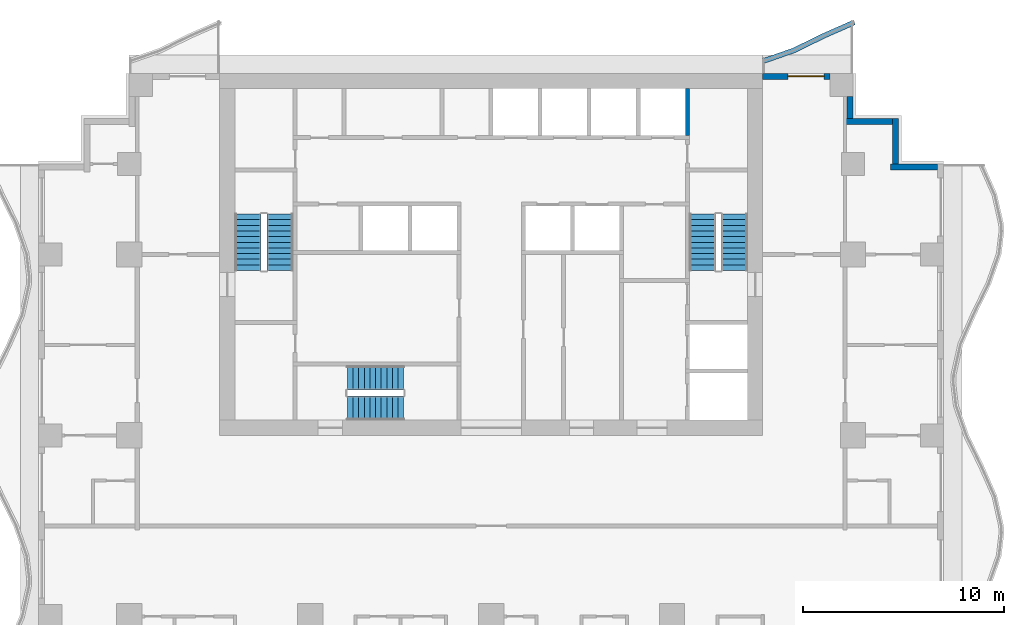
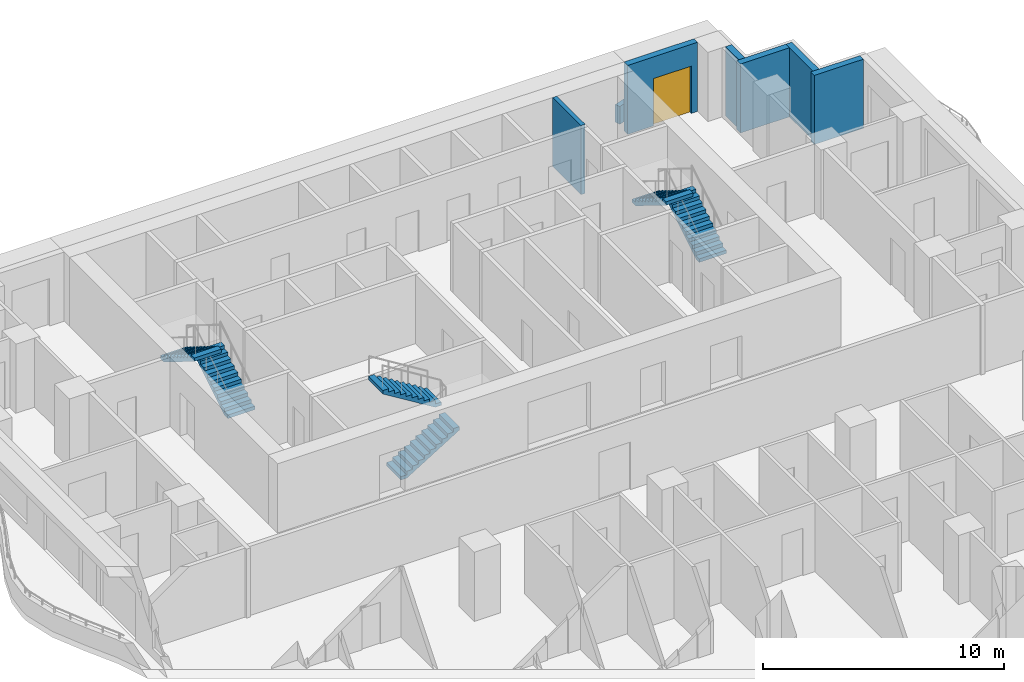
# One storey, part 6 of 10: 7 walls, 6 stair flights, 1 door, 1 opening, 3 elements without a shape of their own.
"""IFC4 building model written with IfcOpenShell, lengths in metres."""

import ifcopenshell
import ifcopenshell.guid

model = None  # the IFC model being written
_history = None  # IfcOwnerHistory: only IFC2X3 demands one
_inside = {}  # id of a spatial element -> (the spatial element, [elements in it])
_under = {}  # id of a project, library or spatial element -> (it, [spatial elements below it])
_declared = {}  # id of a project -> (the project, [libraries it declares])
_typed = {}  # id of a type object -> (the type object, [elements of that type])
_made_of = {}  # id of a material, layer set ... -> (it, [elements and type objects made of it])


def new_model(schema):
    """Start an empty IFC model of exactly this schema.

    Asked for "IFC4X3", IfcOpenShell would pick the latest addendum, in which some entities
    have other attributes; the version numbers below select the first issue.
    IFC2X3 requires an IfcOwnerHistory on every rooted entity: one is made here for all.
    """
    global model, _history
    if schema == "IFC4X3":
        model = ifcopenshell.file(schema_version=(4, 3, 0, 0))
    else:
        model = ifcopenshell.file(schema=schema)
    _inside.clear()
    _under.clear()
    _declared.clear()
    _typed.clear()
    _made_of.clear()
    _history = None
    if model.schema == "IFC2X3":
        org = make("IfcOrganization", Name="unknown")
        user = make(
            "IfcPersonAndOrganization",
            ThePerson=make("IfcPerson", FamilyName="unknown"),
            TheOrganization=org,
        )
        app = make(
            "IfcApplication",
            ApplicationDeveloper=org,
            Version="unknown",
            ApplicationFullName="unknown",
            ApplicationIdentifier="unknown",
        )
        _history = make(
            "IfcOwnerHistory",
            OwningUser=user,
            OwningApplication=app,
            ChangeAction="ADDED",
            CreationDate=0,
        )
    return model


def make(cls, **values):
    """One entity of the class cls with the attributes given. An attribute that is None is left unset."""
    return model.create_entity(
        cls, **{name: value for name, value in values.items() if value is not None}
    )


def rooted(cls, **values):
    """An entity with a GlobalId (a new one), such as an element, a storey or a relation."""
    return make(cls, GlobalId=ifcopenshell.guid.new(), OwnerHistory=_history, **values)


def si_unit(unit_type, name, prefix=None):
    """IfcSIUnit, for example si_unit("LENGTHUNIT", "METRE", prefix="MILLI")."""
    return make("IfcSIUnit", UnitType=unit_type, Prefix=prefix, Name=name)


def assignment(units):
    """IfcUnitAssignment: the units of a project."""
    return None if units is None else make("IfcUnitAssignment", Units=units)


def point(xyz):
    """IfcCartesianPoint."""
    return None if xyz is None else make("IfcCartesianPoint", Coordinates=xyz)


def direction(xyz):
    """IfcDirection."""
    return None if xyz is None else make("IfcDirection", DirectionRatios=xyz)


def frame(location, z_axis=None, x_axis=None):
    """IfcAxis2Placement3D, a coordinate frame: its origin and axes. An axis left out is left unset."""
    return make(
        "IfcAxis2Placement3D",
        Location=point(location),
        Axis=direction(z_axis),
        RefDirection=direction(x_axis),
    )


def frame_2d(location, x_axis=None):
    """IfcAxis2Placement2D, a coordinate frame in the plane: its origin and x axis."""
    return make(
        "IfcAxis2Placement2D", Location=point(location), RefDirection=direction(x_axis)
    )


def origin():
    """The frame at (0, 0, 0) with its axes left unset."""
    return frame((0.0, 0.0, 0.0))


def place(relative_to, where):
    """IfcLocalPlacement: puts the frame where relative to a parent placement (None: the world)."""
    return make(
        "IfcLocalPlacement", PlacementRelTo=relative_to, RelativePlacement=where
    )


def context(
    kind, dimensions, precision=None, world=None, true_north=None, identifier=None
):
    """IfcGeometricRepresentationContext, for example the 3D "Model" context."""
    return make(
        "IfcGeometricRepresentationContext",
        ContextIdentifier=identifier,
        ContextType=kind,
        CoordinateSpaceDimension=dimensions,
        Precision=precision,
        WorldCoordinateSystem=world,
        TrueNorth=true_north,
    )


def subcontext(parent, identifier, kind, view, scale=None):
    """IfcGeometricRepresentationSubContext, for example "Body" below "Model"."""
    return make(
        "IfcGeometricRepresentationSubContext",
        ContextIdentifier=identifier,
        ContextType=kind,
        ParentContext=parent,
        TargetScale=scale,
        TargetView=view,
    )


def project(units=None, contexts=None):
    """IfcProject with its units and contexts."""
    return rooted(
        "IfcProject",
        Name="project",
        RepresentationContexts=contexts,
        UnitsInContext=assignment(units),
    )


def spatial(cls, under=None, at=None, **own):
    """A site, building, storey or space (cls), placed at a placement, below another one or the project."""
    s = rooted(cls, ObjectPlacement=at, **own)
    if under is not None:
        _under.setdefault(under.id(), (under, []))[1].append(s)
    return s


def polyline(points):
    """IfcPolyline through the points."""
    return make("IfcPolyline", Points=[point(p) for p in points])


def profile(cls, at=None, kind="AREA", **sizes):
    """A parametric profile (cls). Its sizes go by their IFC names, for example OverallWidth=200.0."""
    return make(cls, ProfileType=kind, Position=at, **sizes)


def rectangle(**sizes):
    """IfcRectangleProfileDef."""
    return profile("IfcRectangleProfileDef", **sizes)


def outline(outer, holes=None, kind="AREA"):
    """IfcArbitraryClosedProfileDef: a profile drawn as a closed curve; with holes, ...WithVoids."""
    if holes is None:
        return make("IfcArbitraryClosedProfileDef", ProfileType=kind, OuterCurve=outer)
    return make(
        "IfcArbitraryProfileDefWithVoids",
        ProfileType=kind,
        OuterCurve=outer,
        InnerCurves=holes,
    )


def extrude(swept, where, along, depth):
    """IfcExtrudedAreaSolid: the profile swept, set in the frame where, extruded along a direction by depth."""
    return make(
        "IfcExtrudedAreaSolid",
        SweptArea=swept,
        Position=where,
        ExtrudedDirection=direction(along),
        Depth=depth,
    )


def shape(context_of_items, identifier, shape_type, items):
    """IfcShapeRepresentation: the items that make up one representation, for example the "Body"."""
    return make(
        "IfcShapeRepresentation",
        ContextOfItems=context_of_items,
        RepresentationIdentifier=identifier,
        RepresentationType=shape_type,
        Items=items,
    )


def material(Name=None, Category=None):
    """IfcMaterial."""
    return make("IfcMaterial", Name=Name, Category=Category)


def layer(
    of_material, thickness, ventilated=None, Name=None, Category=None, Priority=None
):
    """IfcMaterialLayer: one layer of a wall or slab, of a material (None: an air gap)."""
    return make(
        "IfcMaterialLayer",
        Material=of_material,
        LayerThickness=thickness,
        IsVentilated=ventilated,
        Name=Name,
        Category=Category,
        Priority=Priority,
    )


def layer_set(layers, Name=None):
    """IfcMaterialLayerSet."""
    return make("IfcMaterialLayerSet", MaterialLayers=layers, LayerSetName=Name)


def made_of(thing, what):
    """Note that an element or type object is made of a material, layer set ...; save() writes the relation."""
    if what is not None:
        _made_of.setdefault(what.id(), (what, []))[1].append(thing)
    return thing


def type_object(cls, material=None, **own):
    """A type object (cls), such as IfcWallType, which elements share."""
    return made_of(rooted(cls, **own), material)


def element(
    cls,
    number,
    at=None,
    inside=None,
    cuts=None,
    type_object=None,
    material=None,
    context=None,
    identifier="Body",
    shape_type=None,
    held_by="IfcProductDefinitionShape",
    body=None,
    shapes=None,
    **own,
):
    """One element of the class cls, such as IfcWall. Its Tag is "e" and its number.

    at: its placement. inside: the storey or other place that contains it. cuts: it is an
    opening in that element (IfcRelVoidsElement). A single representation is given by context,
    identifier, shape_type and body (its items); several are given by shapes. held_by: the class
    of the entity that holds the representations. save() writes the other relations.
    """
    e = rooted(cls, Tag="e%d" % number, ObjectPlacement=at, **own)
    if body is not None:
        shapes = [shape(context, identifier, shape_type, body)]
    if shapes is not None:
        e.Representation = make(held_by, Representations=shapes)
    if inside is not None:
        _inside.setdefault(inside.id(), (inside, []))[1].append(e)
    if cuts is not None:
        rooted(
            "IfcRelVoidsElement", RelatingBuildingElement=cuts, RelatedOpeningElement=e
        )
    if type_object is not None:
        _typed.setdefault(type_object.id(), (type_object, []))[1].append(e)
    return made_of(e, material)


def fill(opening, filler):
    """IfcRelFillsElement: the door or window that sits in an opening."""
    return rooted(
        "IfcRelFillsElement",
        RelatingOpeningElement=opening,
        RelatedBuildingElement=filler,
    )


def aggregate(whole, parts):
    """IfcRelAggregates: a whole, such as a stair, and the parts it consists of."""
    return rooted("IfcRelAggregates", RelatingObject=whole, RelatedObjects=parts)


def save(model, path):
    """Write the relations noted so far, then the file.

    IfcRelAggregates (storeys below a building ...), IfcRelContainedInSpatialStructure (elements
    in a storey), IfcRelDefinesByType, IfcRelAssociatesMaterial and IfcRelDeclares: one each for
    every whole, place, type object, material and project.
    """
    for whole, parts in _under.values():
        aggregate(whole, parts)
    for where, things in _inside.values():
        rooted(
            "IfcRelContainedInSpatialStructure",
            RelatedElements=things,
            RelatingStructure=where,
        )
    for kind, things in _typed.values():
        rooted("IfcRelDefinesByType", RelatedObjects=things, RelatingType=kind)
    for what, things in _made_of.values():
        rooted("IfcRelAssociatesMaterial", RelatedObjects=things, RelatingMaterial=what)
    for by, libraries in _declared.values():
        rooted("IfcRelDeclares", RelatingContext=by, RelatedDefinitions=libraries)
    model.write(path)


model = new_model("IFC4")

# Units and contexts
model_context = context("Model", 3, precision=1e-05, world=origin(), true_north=direction((0.0, 1.0)))
body_context = subcontext(model_context, "Body", "Model", "MODEL_VIEW")
ifc_project = project(units=[si_unit("LENGTHUNIT", "METRE"), si_unit("AREAUNIT", "SQUARE_METRE"), si_unit("VOLUMEUNIT", "CUBIC_METRE"), si_unit("PLANEANGLEUNIT", "RADIAN"), si_unit("MASSUNIT", "GRAM", prefix="KILO")], contexts=[model_context])

# Site, building, storey
site_placement = place(None, origin())
site = spatial("IfcSite", under=ifc_project, at=site_placement, CompositionType="ELEMENT")
building_placement = place(site_placement, origin())
building = spatial("IfcBuilding", under=site, at=building_placement, Name="Orbiselva Terraces", CompositionType="ELEMENT")
storey_placement = place(building_placement, frame((0.0, 0.0, 155.4)))
storey = spatial("IfcBuildingStorey", under=building, at=storey_placement, Name="L39", CompositionType="ELEMENT", Elevation=155.4)

# Walls
ifc_material_1 = material(Name="Concrete C40/50", Category="concrete")
ifc_layer_1 = layer(ifc_material_1, 0.2)
ifc_layer_set_1 = layer_set([ifc_layer_1], Name="Concrete C40/50")
wall_type_1 = type_object("IfcWallType", Name="CORE-WALL-SHAFT-200", PredefinedType="PARTITIONING", material=ifc_layer_set_1)
wall_1_placement = place(storey_placement, frame((9.75, 19.4, 0.0), z_axis=(0.0, 0.0, 1.0), x_axis=(0.0, 1.0, 0.0)))
element("IfcWall", 1, at=wall_1_placement, inside=storey, type_object=wall_type_1, Name="L39 core wall 44", PredefinedType="PARTITIONING", context=body_context, shape_type="SweptSolid", body=[
    extrude(rectangle(XDim=2.35, YDim=0.2, at=frame_2d((1.175, 0.0))), origin(), (0.0, 0.0, 1.0), 3.5),
])
ifc_layer_2 = layer(ifc_material_1, 0.25)
ifc_layer_set_2 = layer_set([ifc_layer_2], Name="Concrete C40/50")
wall_type_2 = type_object("IfcWallType", Name="ENV-PLANTER-250x900", PredefinedType="USERDEFINED", material=ifc_layer_set_2)
wall_2_placement = place(storey_placement, origin())
element("IfcWall", 2, at=wall_2_placement, inside=storey, type_object=wall_type_2, Name="Balcony planter L39 NE", ObjectType="PLANTER", PredefinedType="USERDEFINED", context=body_context, shape_type="SweptSolid", body=[
    extrude(outline(polyline([(18.0, 25.148528), (16.5, 24.487721), (15.0, 23.755211), (13.5, 23.230792), (13.582506, 22.994799), (15.09644, 23.524089), (16.605286, 24.260919), (18.100788, 24.919745), (18.0, 25.148528)])), origin(), (0.0, 0.0, 1.0), 0.9),
])
ifc_material_2 = material(Name="Terracotta cladding on masonry backing", Category="masonry")
ifc_layer_3 = layer(ifc_material_2, 0.3)
ifc_layer_set_3 = layer_set([ifc_layer_3], Name="Terracotta cladding on masonry backing")
wall_type_3 = type_object("IfcWallType", Name="ENV-WALL-TERRACOTTA-300", PredefinedType="SOLIDWALL", material=ifc_layer_set_3)
wall_3_placement = place(storey_placement, frame((19.85, 17.85, 0.0), z_axis=(0.0, 0.0, 1.0), x_axis=(1.0, 0.0, 0.0)))
element("IfcWall", 3, at=wall_3_placement, inside=storey, type_object=wall_type_3, Name="Facade wall L39 STEP", PredefinedType="SOLIDWALL", context=body_context, shape_type="SweptSolid", body=[
    extrude(rectangle(XDim=2.35, YDim=0.3, at=frame_2d((1.175, 0.0))), origin(), (0.0, 0.0, 1.0), 3.5),
])
wall_4_placement = place(storey_placement, frame((20.1, 20.25, 0.0), z_axis=(0.0, 0.0, 1.0), x_axis=(0.0, -1.0, 0.0)))
element("IfcWall", 4, at=wall_4_placement, inside=storey, type_object=wall_type_3, Name="Facade wall L39 STEP", PredefinedType="SOLIDWALL", context=body_context, shape_type="SweptSolid", body=[
    extrude(rectangle(XDim=2.25, YDim=0.3, at=frame_2d((1.125, 0.0))), origin(), (0.0, 0.0, 1.0), 3.5),
])
wall_5_placement = place(storey_placement, frame((17.6, 20.1, 0.0), z_axis=(0.0, 0.0, 1.0), x_axis=(1.0, 0.0, 0.0)))
element("IfcWall", 5, at=wall_5_placement, inside=storey, type_object=wall_type_3, Name="Facade wall L39 STEP", PredefinedType="SOLIDWALL", context=body_context, shape_type="SweptSolid", body=[
    extrude(rectangle(XDim=2.35, YDim=0.3, at=frame_2d((1.175, 0.0))), origin(), (0.0, 0.0, 1.0), 3.5),
])
wall_6_placement = place(storey_placement, frame((17.85, 21.35, 0.0), z_axis=(0.0, 0.0, 1.0), x_axis=(0.0, -1.0, 0.0)))
element("IfcWall", 6, at=wall_6_placement, inside=storey, type_object=wall_type_3, Name="Facade wall L39 STEP", PredefinedType="SOLIDWALL", context=body_context, shape_type="SweptSolid", body=[
    extrude(rectangle(XDim=1.1, YDim=0.3, at=frame_2d((0.55, 0.0))), origin(), (0.0, 0.0, 1.0), 3.5),
])

# Wall, opening, door
wall_7_placement = place(storey_placement, frame((13.5, 22.35, 0.0), z_axis=(0.0, 0.0, 1.0), x_axis=(1.0, 0.0, 0.0)))
wall_7 = element("IfcWall", 7, at=wall_7_placement, inside=storey, type_object=wall_type_3, Name="Facade wall L39 NE", PredefinedType="SOLIDWALL", context=body_context, shape_type="SweptSolid", body=[
    extrude(rectangle(XDim=3.35, YDim=0.3, at=frame_2d((1.675, 0.0))), origin(), (0.0, 0.0, 1.0), 3.5),
])
opening_placement = place(wall_7_placement, frame((1.25, 0.0, 0.0)))
opening = element("IfcOpeningElement", 8, at=opening_placement, cuts=wall_7, Name="Opening Z3-C-E15", PredefinedType="OPENING", context=body_context, shape_type="SweptSolid", body=[
    extrude(rectangle(XDim=1.8, YDim=2.4, at=frame_2d((0.9, 1.2))), frame((0.0, 0.16, 0.0), z_axis=(0.0, -1.0, 0.0), x_axis=(1.0, 0.0, 0.0)), (0.0, 0.0, 1.0), 0.32),
])
ifc_material_3 = material(Name="Clear low-e glazing in aluminium frame", Category="aluminium")
door_type = type_object("IfcDoorType", Name="BALCONY DOOR 1800 X 2400", OperationType="DOUBLE_DOOR_SLIDING", PredefinedType="DOOR", material=ifc_material_3)
door_placement = place(opening_placement, origin())
door = element("IfcDoor", 9, at=door_placement, inside=storey, type_object=door_type, Name="Z3-C-E15", OperationType="SINGLE_SWING_LEFT", OverallHeight=2.4, OverallWidth=1.8, PredefinedType="DOOR", context=body_context, shape_type="SweptSolid", body=[
    extrude(rectangle(XDim=1.8, YDim=2.4, at=frame_2d((0.9, 1.2))), frame((0.0, 0.025, 0.0), z_axis=(0.0, -1.0, 0.0), x_axis=(1.0, 0.0, 0.0)), (0.0, 0.0, 1.0), 0.05),
])
fill(opening, door)

# Stair, stair flights
stair_type_1 = type_object("IfcStairType", Name="CORE-STAIR-1200", PredefinedType="HALF_TURN_STAIR", material=ifc_material_1)
stair_1_placement = place(storey_placement, origin())
stair_1 = element("IfcStair", 10, at=stair_1_placement, inside=storey, type_object=stair_type_1, Name="L39 Exit Stair S3", PredefinedType="HALF_TURN_STAIR")
stair_flight_type_1 = type_object("IfcStairFlightType", Name="CORE-STAIR-FLIGHT-1200", PredefinedType="STRAIGHT", material=ifc_material_1)
stair_flight_1_placement = place(storey_placement, frame((-7.15, 5.85, 0.0), z_axis=(0.0, 0.0, 1.0), x_axis=(1.0, 0.0, 0.0)))
stair_flight_1 = element("IfcStairFlight", 11, at=stair_flight_1_placement, type_object=stair_flight_type_1, Name="S3 flight 1", NumberOfRisers=11, NumberOfTreads=10, PredefinedType="STRAIGHT", RiserHeight=0.172727273, TreadLength=0.28, context=body_context, shape_type="SweptSolid", body=[
    extrude(outline(polyline([(0.0, 0.0), (0.0, 0.172727), (0.28, 0.172727), (0.28, 0.345455), (0.56, 0.345455), (0.56, 0.518182), (0.84, 0.518182), (0.84, 0.690909), (1.12, 0.690909), (1.12, 0.863636), (1.4, 0.863636), (1.4, 1.036364), (1.68, 1.036364), (1.68, 1.209091), (1.96, 1.209091), (1.96, 1.381818), (2.24, 1.381818), (2.24, 1.554545), (2.52, 1.554545), (2.52, 1.727273), (2.8, 1.727273), (2.8, 1.9), (2.8, 1.551028), (0.285702, 0.0), (0.0, 0.0)])), frame((0.0, 0.6, 0.0), z_axis=(0.0, -1.0, 0.0), x_axis=(1.0, 0.0, 0.0)), (0.0, 0.0, 1.0), 1.2),
])
stair_flight_2_placement = place(storey_placement, frame((-4.35, 7.35, 1.9), z_axis=(0.0, 0.0, 1.0), x_axis=(-1.0, 0.0, 0.0)))
stair_flight_2 = element("IfcStairFlight", 12, at=stair_flight_2_placement, type_object=stair_flight_type_1, Name="S3 flight 2", NumberOfRisers=11, NumberOfTreads=10, PredefinedType="STRAIGHT", RiserHeight=0.172727273, TreadLength=0.28, context=body_context, shape_type="SweptSolid", body=[
    extrude(outline(polyline([(0.0, 0.0), (0.0, 0.172727), (0.28, 0.172727), (0.28, 0.345455), (0.56, 0.345455), (0.56, 0.518182), (0.84, 0.518182), (0.84, 0.690909), (1.12, 0.690909), (1.12, 0.863636), (1.4, 0.863636), (1.4, 1.036364), (1.68, 1.036364), (1.68, 1.209091), (1.96, 1.209091), (1.96, 1.381818), (2.24, 1.381818), (2.24, 1.554545), (2.52, 1.554545), (2.52, 1.727273), (2.8, 1.727273), (2.8, 1.9), (2.8, 1.551028), (0.285702, 0.0), (0.0, 0.0)])), frame((0.0, 0.6, 0.0), z_axis=(0.0, -1.0, 0.0), x_axis=(1.0, 0.0, 0.0)), (0.0, 0.0, 1.0), 1.2),
])
aggregate(stair_1, [stair_flight_1, stair_flight_2])

stair_type_2 = type_object("IfcStairType", Name="CORE-STAIR-1300", PredefinedType="HALF_TURN_STAIR", material=ifc_material_1)
stair_2_placement = place(storey_placement, origin())
stair_2 = element("IfcStair", 13, at=stair_2_placement, inside=storey, type_object=stair_type_2, Name="L39 Exit Stair S1", PredefinedType="HALF_TURN_STAIR")
stair_flight_type_2 = type_object("IfcStairFlightType", Name="CORE-STAIR-FLIGHT-1300", PredefinedType="STRAIGHT", material=ifc_material_1)
stair_flight_3_placement = place(storey_placement, frame((-10.5, 12.7, 0.0), z_axis=(0.0, 0.0, 1.0), x_axis=(0.0, 1.0, 0.0)))
stair_flight_3 = element("IfcStairFlight", 14, at=stair_flight_3_placement, type_object=stair_flight_type_2, Name="S1 flight 1", NumberOfRisers=11, NumberOfTreads=10, PredefinedType="STRAIGHT", RiserHeight=0.172727273, TreadLength=0.28, context=body_context, shape_type="SweptSolid", body=[
    extrude(outline(polyline([(0.0, 0.0), (0.0, 0.172727), (0.28, 0.172727), (0.28, 0.345455), (0.56, 0.345455), (0.56, 0.518182), (0.84, 0.518182), (0.84, 0.690909), (1.12, 0.690909), (1.12, 0.863636), (1.4, 0.863636), (1.4, 1.036364), (1.68, 1.036364), (1.68, 1.209091), (1.96, 1.209091), (1.96, 1.381818), (2.24, 1.381818), (2.24, 1.554545), (2.52, 1.554545), (2.52, 1.727273), (2.8, 1.727273), (2.8, 1.9), (2.8, 1.551028), (0.285702, 0.0), (0.0, 0.0)])), frame((0.0, 0.65, 0.0), z_axis=(0.0, -1.0, 0.0), x_axis=(1.0, 0.0, 0.0)), (0.0, 0.0, 1.0), 1.3),
])
stair_flight_4_placement = place(storey_placement, frame((-12.1, 15.5, 1.9), z_axis=(0.0, 0.0, 1.0), x_axis=(0.0, -1.0, 0.0)))
stair_flight_4 = element("IfcStairFlight", 15, at=stair_flight_4_placement, type_object=stair_flight_type_2, Name="S1 flight 2", NumberOfRisers=11, NumberOfTreads=10, PredefinedType="STRAIGHT", RiserHeight=0.172727273, TreadLength=0.28, context=body_context, shape_type="SweptSolid", body=[
    extrude(outline(polyline([(0.0, 0.0), (0.0, 0.172727), (0.28, 0.172727), (0.28, 0.345455), (0.56, 0.345455), (0.56, 0.518182), (0.84, 0.518182), (0.84, 0.690909), (1.12, 0.690909), (1.12, 0.863636), (1.4, 0.863636), (1.4, 1.036364), (1.68, 1.036364), (1.68, 1.209091), (1.96, 1.209091), (1.96, 1.381818), (2.24, 1.381818), (2.24, 1.554545), (2.52, 1.554545), (2.52, 1.727273), (2.8, 1.727273), (2.8, 1.9), (2.8, 1.551028), (0.285702, 0.0), (0.0, 0.0)])), frame((0.0, 0.65, 0.0), z_axis=(0.0, -1.0, 0.0), x_axis=(1.0, 0.0, 0.0)), (0.0, 0.0, 1.0), 1.3),
])
aggregate(stair_2, [stair_flight_3, stair_flight_4])

stair_3_placement = place(storey_placement, origin())
stair_3 = element("IfcStair", 16, at=stair_3_placement, inside=storey, type_object=stair_type_2, Name="L39 Exit Stair S2", PredefinedType="HALF_TURN_STAIR")
stair_flight_5_placement = place(storey_placement, frame((12.1, 12.7, 0.0), z_axis=(0.0, 0.0, 1.0), x_axis=(0.0, 1.0, 0.0)))
stair_flight_5 = element("IfcStairFlight", 17, at=stair_flight_5_placement, type_object=stair_flight_type_2, Name="S2 flight 1", NumberOfRisers=11, NumberOfTreads=10, PredefinedType="STRAIGHT", RiserHeight=0.172727273, TreadLength=0.28, context=body_context, shape_type="SweptSolid", body=[
    extrude(outline(polyline([(0.0, 0.0), (0.0, 0.172727), (0.28, 0.172727), (0.28, 0.345455), (0.56, 0.345455), (0.56, 0.518182), (0.84, 0.518182), (0.84, 0.690909), (1.12, 0.690909), (1.12, 0.863636), (1.4, 0.863636), (1.4, 1.036364), (1.68, 1.036364), (1.68, 1.209091), (1.96, 1.209091), (1.96, 1.381818), (2.24, 1.381818), (2.24, 1.554545), (2.52, 1.554545), (2.52, 1.727273), (2.8, 1.727273), (2.8, 1.9), (2.8, 1.551028), (0.285702, 0.0), (0.0, 0.0)])), frame((0.0, 0.65, 0.0), z_axis=(0.0, -1.0, 0.0), x_axis=(1.0, 0.0, 0.0)), (0.0, 0.0, 1.0), 1.3),
])
stair_flight_6_placement = place(storey_placement, frame((10.5, 15.5, 1.9), z_axis=(0.0, 0.0, 1.0), x_axis=(0.0, -1.0, 0.0)))
stair_flight_6 = element("IfcStairFlight", 18, at=stair_flight_6_placement, type_object=stair_flight_type_2, Name="S2 flight 2", NumberOfRisers=11, NumberOfTreads=10, PredefinedType="STRAIGHT", RiserHeight=0.172727273, TreadLength=0.28, context=body_context, shape_type="SweptSolid", body=[
    extrude(outline(polyline([(0.0, 0.0), (0.0, 0.172727), (0.28, 0.172727), (0.28, 0.345455), (0.56, 0.345455), (0.56, 0.518182), (0.84, 0.518182), (0.84, 0.690909), (1.12, 0.690909), (1.12, 0.863636), (1.4, 0.863636), (1.4, 1.036364), (1.68, 1.036364), (1.68, 1.209091), (1.96, 1.209091), (1.96, 1.381818), (2.24, 1.381818), (2.24, 1.554545), (2.52, 1.554545), (2.52, 1.727273), (2.8, 1.727273), (2.8, 1.9), (2.8, 1.551028), (0.285702, 0.0), (0.0, 0.0)])), frame((0.0, 0.65, 0.0), z_axis=(0.0, -1.0, 0.0), x_axis=(1.0, 0.0, 0.0)), (0.0, 0.0, 1.0), 1.3),
])
aggregate(stair_3, [stair_flight_5, stair_flight_6])

save(model, "model.ifc")
